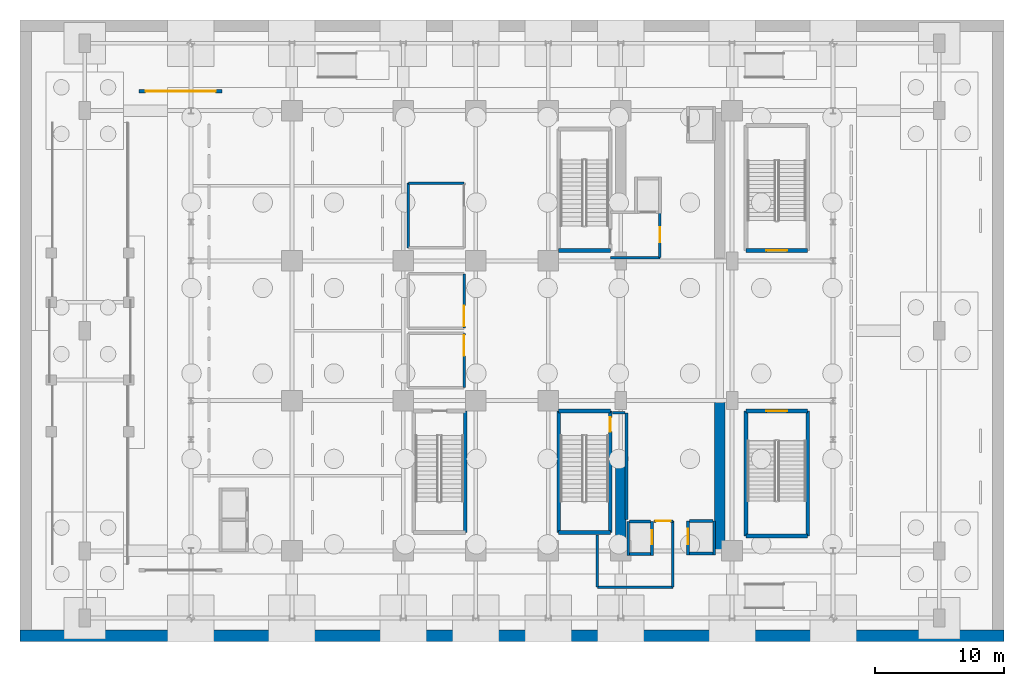
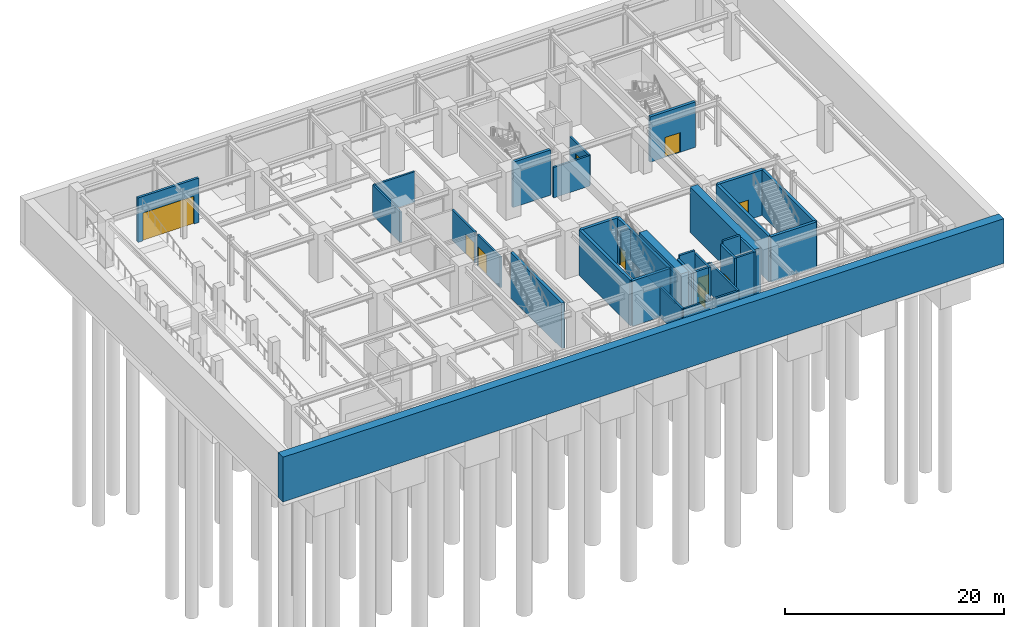
# One storey, part 7 of 14: 35 walls, 10 doors, 10 openings.
"""IFC4 building model written with IfcOpenShell, lengths in metres."""

from ifc_helpers import new_model, si_unit, direction, frame, frame_2d, origin, place, context, subcontext, project, spatial, rectangle, extrude, source, transform, mapped, material, layer, layer_set, type_object, element, fill, save


model = new_model("IFC4")

# Units and contexts
model_context = context("Model", 3, precision=1e-05, world=origin(), true_north=direction((0.0, 1.0)))
body_context = subcontext(model_context, "Body", "Model", "MODEL_VIEW")
ifc_project = project(units=[si_unit("LENGTHUNIT", "METRE"), si_unit("AREAUNIT", "SQUARE_METRE"), si_unit("VOLUMEUNIT", "CUBIC_METRE"), si_unit("PLANEANGLEUNIT", "RADIAN"), si_unit("MASSUNIT", "GRAM", prefix="KILO")], contexts=[model_context])

# Site, building, storey
site_placement = place(None, origin())
site = spatial("IfcSite", under=ifc_project, at=site_placement, CompositionType="ELEMENT")
building_placement = place(site_placement, origin())
building = spatial("IfcBuilding", under=site, at=building_placement, Name="Nahalor Promenade Grand Hotel", CompositionType="ELEMENT")
storey_placement = place(building_placement, frame((0.0, 0.0, -10.800048828125)))
storey = spatial("IfcBuildingStorey", under=building, at=storey_placement, Name="B02", CompositionType="ELEMENT", Elevation=-10.800048828125)

# Walls
ifc_material_1 = material(Name="Concrete B-50 (C40/50)", Category="concrete")
ifc_layer_1 = layer(ifc_material_1, 0.89990234375)
ifc_layer_set_1 = layer_set([ifc_layer_1], Name="Concrete B-50 (C40/50)")
wall_type_1 = type_object("IfcWallType", Name="Wall-Diaphragm-900", PredefinedType="SHEAR", material=ifc_layer_set_1)
shared_shape_1 = source(origin(), body_context, "Body", "SweptSolid", [
    extrude(rectangle(XDim=76.0, YDim=0.89990234375, at=frame_2d((38.0, 0.0))), origin(), (0.0, 0.0, 1.0), 4.97998046875),
])
wall_1_placement = place(storey_placement, frame((-38.0, -23.550048828125, 0.0), z_axis=(0.0, 0.0, 1.0), x_axis=(1.0, 0.0, 0.0)))
element("IfcWall", 1, at=wall_1_placement, inside=storey, type_object=wall_type_1, Name="DW-B02-S", PredefinedType="SHEAR", context=body_context, shape_type="MappedRepresentation", body=[
    mapped(shared_shape_1, transform((0.0, 0.0, 0.0), scale=1.0)),
])
ifc_material_2 = material(Name="Concrete B-70 (C60/75)", Category="concrete")
ifc_layer_2 = layer(ifc_material_2, 0.800048828125)
ifc_layer_set_2 = layer_set([ifc_layer_2], Name="Concrete B-70 (C60/75)")
wall_type_2 = type_object("IfcWallType", Name="Wall-CoreShear-800", PredefinedType="SHEAR", material=ifc_layer_set_2)
shared_shape_2 = source(origin(), body_context, "Body", "SweptSolid", [
    extrude(rectangle(XDim=7.64990234375, YDim=0.800048828125, at=frame_2d((3.824951171875, 0.0))), origin(), (0.0, 0.0, 1.0), 5.050048828125),
])
wall_2_placement = place(storey_placement, frame((8.39990234375, -17.0, 0.0), z_axis=(0.0, 0.0, 1.0), x_axis=(0.0, 1.0, 0.0)))
element("IfcWall", 2, at=wall_2_placement, inside=storey, type_object=wall_type_2, Name="CWALL-B02-SW", PredefinedType="SHEAR", context=body_context, shape_type="MappedRepresentation", body=[
    mapped(shared_shape_2, transform((0.0, 0.0, 0.0), scale=1.0)),
])
shared_shape_3 = source(origin(), body_context, "Body", "SweptSolid", [
    extrude(rectangle(XDim=11.60009765625, YDim=0.800048828125, at=frame_2d((5.800048828125, 0.0))), origin(), (0.0, 0.0, 1.0), 5.050048828125),
])
wall_3_placement = place(storey_placement, frame((16.050048828125, -17.0, 0.0), z_axis=(0.0, 0.0, 1.0), x_axis=(0.0, 1.0, 0.0)))
element("IfcWall", 3, at=wall_3_placement, inside=storey, type_object=wall_type_2, Name="CWALL-B02-SE", PredefinedType="SHEAR", context=body_context, shape_type="MappedRepresentation", body=[
    mapped(shared_shape_3, transform((0.0, 0.0, 0.0), scale=1.0)),
])
ifc_layer_3 = layer(ifc_material_1, 0.300048828125)
ifc_layer_set_3 = layer_set([ifc_layer_3], Name="Concrete B-50 (C40/50)")
wall_type_3 = type_object("IfcWallType", Name="Wall-ShaftShear-300", PredefinedType="SHEAR", material=ifc_layer_set_3)
shared_shape_4 = source(origin(), body_context, "Body", "SweptSolid", [
    extrude(rectangle(XDim=3.97998046875, YDim=0.300048828125, at=frame_2d((1.989990234375, 0.0))), origin(), (0.0, 0.0, 1.0), 5.050048828125),
])
for number, where, z_axis, x_axis, name in (
    (4, (3.610107421875, 6.2099609375, 0.0), (0.0, 0.0, 1.0), (1.0, 0.0, 0.0), "B02 Exit Stair ST1 Shaft Wall S"),
    (5, (3.610107421875, -15.590087890625, 0.0), (0.0, 0.0, 1.0), (1.0, 0.0, 0.0), "B02 Exit Stair ST2 Shaft Wall S"),
    (6, (3.610107421875, -6.2099609375, 0.0), (0.0, 0.0, 1.0), (1.0, 0.0, 0.0), "B02 Exit Stair ST2 Shaft Wall N"),
):
    element("IfcWall", number, at=place(storey_placement, frame(where, z_axis=z_axis, x_axis=x_axis)), inside=storey, type_object=wall_type_3, Name=name, PredefinedType="SHEAR", context=body_context, shape_type="MappedRepresentation", body=[
        mapped(shared_shape_4, transform((0.0, 0.0, 0.0), scale=1.0)),
    ])
shared_shape_5 = source(origin(), body_context, "Body", "SweptSolid", [
    extrude(rectangle(XDim=9.380126953125, YDim=0.300048828125, at=frame_2d((4.68994140625, 0.0))), origin(), (0.0, 0.0, 1.0), 5.050048828125),
])
wall_4_placement = place(storey_placement, frame((3.610107421875, -15.590087890625, 0.0), z_axis=(0.0, 0.0, 1.0), x_axis=(0.0, 1.0, 0.0)))
element("IfcWall", 7, at=wall_4_placement, inside=storey, type_object=wall_type_3, Name="B02 Exit Stair ST2 Shaft Wall W", PredefinedType="SHEAR", context=body_context, shape_type="MappedRepresentation", body=[
    mapped(shared_shape_5, transform((0.0, 0.0, 0.0), scale=1.0)),
])

# Wall, opening, door
wall_5_placement = place(storey_placement, frame((7.590087890625, -15.590087890625, 0.0), z_axis=(0.0, 0.0, 1.0), x_axis=(0.0, 1.0, 0.0)))
wall_5 = element("IfcWall", 8, at=wall_5_placement, inside=storey, type_object=wall_type_3, Name="B02 Exit Stair ST2 Shaft Wall E", PredefinedType="SHEAR", context=body_context, shape_type="MappedRepresentation", body=[
    mapped(shared_shape_5, transform((0.0, 0.0, 0.0), scale=1.0)),
])
opening_1_placement = place(wall_5_placement, frame((7.7900390625, 0.0, 0.0)))
opening_1 = element("IfcOpeningElement", 9, at=opening_1_placement, cuts=wall_5, Name="Opening D-ST1", PredefinedType="OPENING", context=body_context, shape_type="SweptSolid", body=[
    extrude(rectangle(XDim=1.10009765625, YDim=2.14990234375, at=frame_2d((0.550048828125, 1.074951171875))), frame((0.0, 0.159912109375, 0.0), z_axis=(0.0, -1.0, 0.0), x_axis=(1.0, 0.0, 0.0)), (0.0, 0.0, 1.0), 0.320068359375),
])
ifc_material_3 = material(Name="Steel S355JR", Category="steel")
door_type_1 = type_object("IfcDoorType", Name="Door-StairFire-1100", OperationType="NOTDEFINED", PredefinedType="DOOR", material=ifc_material_3)
shared_shape_6 = source(origin(), body_context, "Body", "SweptSolid", [
    extrude(rectangle(XDim=1.10009765625, YDim=2.14990234375, at=frame_2d((0.550048828125, 1.074951171875))), frame((0.0, 0.02490234375, 0.0), z_axis=(0.0, -1.0, 0.0), x_axis=(1.0, 0.0, 0.0)), (0.0, 0.0, 1.0), 0.050048828125),
])
door_1_placement = place(opening_1_placement, origin())
door_1 = element("IfcDoor", 10, at=door_1_placement, inside=storey, type_object=door_type_1, Name="DR-STAIR-ST2-B02", OperationType="SINGLE_SWING_LEFT", OverallHeight=2.14990234375, OverallWidth=1.10009765625, PredefinedType="DOOR", context=body_context, shape_type="MappedRepresentation", body=[
    mapped(shared_shape_6, transform((0.0, 0.0, 0.0), scale=1.0)),
])
fill(opening_1, door_1)

# Wall
wall_6_placement = place(storey_placement, frame((-3.610107421875, -15.590087890625, 0.0), z_axis=(0.0, 0.0, 1.0), x_axis=(0.0, 1.0, 0.0)))
element("IfcWall", 11, at=wall_6_placement, inside=storey, type_object=wall_type_3, Name="B02 Exit Stair ST3 Shaft Wall E", PredefinedType="SHEAR", context=body_context, shape_type="MappedRepresentation", body=[
    mapped(shared_shape_5, transform((0.0, 0.0, 0.0), scale=1.0)),
])

# Wall, opening, door
shared_shape_7 = source(origin(), body_context, "Body", "SweptSolid", [
    extrude(rectangle(XDim=4.780029296875, YDim=0.300048828125, at=frame_2d((2.39013671875, 0.0))), origin(), (0.0, 0.0, 1.0), 5.050048828125),
])
wall_7_placement = place(storey_placement, frame((18.06005859375, 6.2099609375, 0.0), z_axis=(0.0, 0.0, 1.0), x_axis=(1.0, 0.0, 0.0)))
wall_7 = element("IfcWall", 12, at=wall_7_placement, inside=storey, type_object=wall_type_3, Name="B02 Exit Stair ST4 Shaft Wall S", PredefinedType="SHEAR", context=body_context, shape_type="MappedRepresentation", body=[
    mapped(shared_shape_7, transform((0.0, 0.0, 0.0), scale=1.0)),
])
opening_2_placement = place(wall_7_placement, frame((1.590087890625, 0.0, 0.0)))
opening_2 = element("IfcOpeningElement", 13, at=opening_2_placement, cuts=wall_7, Name="Opening D-ST2", PredefinedType="OPENING", context=body_context, shape_type="SweptSolid", body=[
    extrude(rectangle(XDim=1.60009765625, YDim=2.199951171875, at=frame_2d((0.800048828125, 1.10009765625))), frame((0.0, 0.159912109375, 0.0), z_axis=(0.0, -1.0, 0.0), x_axis=(1.0, 0.0, 0.0)), (0.0, 0.0, 1.0), 0.320068359375),
])
door_type_2 = type_object("IfcDoorType", Name="Door-StairGrand-1600", OperationType="DOUBLE_DOOR_SINGLE_SWING", PredefinedType="DOOR", material=ifc_material_3)
shared_shape_8 = source(origin(), body_context, "Body", "SweptSolid", [
    extrude(rectangle(XDim=1.60009765625, YDim=2.199951171875, at=frame_2d((0.800048828125, 1.10009765625))), frame((0.0, 0.02490234375, 0.0), z_axis=(0.0, -1.0, 0.0), x_axis=(1.0, 0.0, 0.0)), (0.0, 0.0, 1.0), 0.050048828125),
])
door_2_placement = place(opening_2_placement, origin())
door_2 = element("IfcDoor", 14, at=door_2_placement, inside=storey, type_object=door_type_2, Name="DR-STAIR-ST4-B02", OperationType="DOUBLE_DOOR_SINGLE_SWING", OverallHeight=2.199951171875, OverallWidth=1.60009765625, PredefinedType="DOOR", context=body_context, shape_type="MappedRepresentation", body=[
    mapped(shared_shape_8, transform((0.0, 0.0, 0.0), scale=1.0)),
])
fill(opening_2, door_2)

# Wall
wall_8_placement = place(storey_placement, frame((18.06005859375, -15.840087890625, 0.0), z_axis=(0.0, 0.0, 1.0), x_axis=(1.0, 0.0, 0.0)))
element("IfcWall", 15, at=wall_8_placement, inside=storey, type_object=wall_type_3, Name="B02 Exit Stair ST5 Shaft Wall S", PredefinedType="SHEAR", context=body_context, shape_type="MappedRepresentation", body=[
    mapped(shared_shape_7, transform((0.0, 0.0, 0.0), scale=1.0)),
])

# Wall, opening, door
wall_9_placement = place(storey_placement, frame((18.06005859375, -6.2099609375, 0.0), z_axis=(0.0, 0.0, 1.0), x_axis=(1.0, 0.0, 0.0)))
wall_9 = element("IfcWall", 16, at=wall_9_placement, inside=storey, type_object=wall_type_3, Name="B02 Exit Stair ST5 Shaft Wall N", PredefinedType="SHEAR", context=body_context, shape_type="MappedRepresentation", body=[
    mapped(shared_shape_7, transform((0.0, 0.0, 0.0), scale=1.0)),
])
opening_3_placement = place(wall_9_placement, frame((1.590087890625, 0.0, 0.0)))
opening_3 = element("IfcOpeningElement", 17, at=opening_3_placement, cuts=wall_9, Name="Opening D-ST2", PredefinedType="OPENING", context=body_context, shape_type="SweptSolid", body=[
    extrude(rectangle(XDim=1.60009765625, YDim=2.199951171875, at=frame_2d((0.800048828125, 1.10009765625))), frame((0.0, 0.159912109375, 0.0), z_axis=(0.0, -1.0, 0.0), x_axis=(1.0, 0.0, 0.0)), (0.0, 0.0, 1.0), 0.320068359375),
])
door_3_placement = place(opening_3_placement, frame((1.60009765625, 0.0, 0.0), z_axis=(0.0, 0.0, 1.0), x_axis=(-1.0, 0.0, 0.0)))
door_3 = element("IfcDoor", 18, at=door_3_placement, inside=storey, type_object=door_type_2, Name="DR-STAIR-ST5-B02", OperationType="DOUBLE_DOOR_SINGLE_SWING", OverallHeight=2.199951171875, OverallWidth=1.60009765625, PredefinedType="DOOR", context=body_context, shape_type="MappedRepresentation", body=[
    mapped(shared_shape_8, transform((0.0, 0.0, 0.0), scale=1.0)),
])
fill(opening_3, door_3)

# Walls
shared_shape_9 = source(origin(), body_context, "Body", "SweptSolid", [
    extrude(rectangle(XDim=9.630126953125, YDim=0.300048828125, at=frame_2d((4.81494140625, 0.0))), origin(), (0.0, 0.0, 1.0), 5.050048828125),
])
for number, where, z_axis, x_axis, name in (
    (19, (18.06005859375, -15.840087890625, 0.0), (0.0, 0.0, 1.0), (0.0, 1.0, 0.0), "B02 Exit Stair ST5 Shaft Wall W"),
    (20, (22.840087890625, -15.840087890625, 0.0), (0.0, 0.0, 1.0), (0.0, 1.0, 0.0), "B02 Exit Stair ST5 Shaft Wall E"),
):
    element("IfcWall", number, at=place(storey_placement, frame(where, z_axis=z_axis, x_axis=x_axis)), inside=storey, type_object=wall_type_3, Name=name, PredefinedType="SHEAR", context=body_context, shape_type="MappedRepresentation", body=[
        mapped(shared_shape_9, transform((0.0, 0.0, 0.0), scale=1.0)),
    ])
ifc_layer_4 = layer(ifc_material_1, 0.219970703125)
ifc_layer_set_4 = layer_set([ifc_layer_4], Name="Concrete B-50 (C40/50)")
wall_type_4 = type_object("IfcWallType", Name="Wall-LiftShaft-220", PredefinedType="SHEAR", material=ifc_layer_set_4)
shared_shape_10 = source(origin(), body_context, "Body", "SweptSolid", [
    extrude(rectangle(XDim=1.820068359375, YDim=0.219970703125, at=frame_2d((0.91015625, 0.0))), origin(), (0.0, 0.0, 1.0), 5.400146484375),
])
wall_10_placement = place(storey_placement, frame((13.68994140625, -14.699951171875, 0.0), z_axis=(0.0, 0.0, 1.0), x_axis=(1.0, 0.0, 0.0)))
element("IfcWall", 21, at=wall_10_placement, inside=storey, type_object=wall_type_4, Name="B02 Lift SV2 Hoistway Wall N", PredefinedType="SHEAR", context=body_context, shape_type="MappedRepresentation", body=[
    mapped(shared_shape_10, transform((0.0, 0.0, 0.0), scale=1.0)),
])
shared_shape_11 = source(origin(), body_context, "Body", "SweptSolid", [
    extrude(rectangle(XDim=2.635009765625, YDim=0.219970703125, at=frame_2d((1.3173828125, 0.0))), origin(), (0.0, 0.0, 1.0), 5.050048828125),
])
wall_11_placement = place(storey_placement, frame((8.97998046875, -17.360107421875, 0.0), z_axis=(0.0, 0.0, 1.0), x_axis=(0.0, 1.0, 0.0)))
element("IfcWall", 22, at=wall_11_placement, inside=storey, type_object=wall_type_4, Name="B02 Lift FL2 Hoistway Wall W", PredefinedType="SHEAR", context=body_context, shape_type="MappedRepresentation", body=[
    mapped(shared_shape_11, transform((0.0, 0.0, 0.0), scale=1.0)),
])

# Wall, opening, door
wall_12_placement = place(storey_placement, frame((10.820068359375, -17.360107421875, 0.0), z_axis=(0.0, 0.0, 1.0), x_axis=(0.0, 1.0, 0.0)))
wall_12 = element("IfcWall", 23, at=wall_12_placement, inside=storey, type_object=wall_type_4, Name="B02 Lift FL2 Hoistway Wall E", PredefinedType="SHEAR", context=body_context, shape_type="MappedRepresentation", body=[
    mapped(shared_shape_11, transform((0.0, 0.0, 0.0), scale=1.0)),
])
opening_4_placement = place(wall_12_placement, frame((0.860107421875, 0.0, 0.0)))
opening_4 = element("IfcOpeningElement", 24, at=opening_4_placement, cuts=wall_12, Name="Opening LD-02", PredefinedType="OPENING", context=body_context, shape_type="SweptSolid", body=[
    extrude(rectangle(XDim=1.10009765625, YDim=2.199951171875, at=frame_2d((0.550048828125, 1.10009765625))), frame((0.0, 0.119873046875, 0.0), z_axis=(0.0, -1.0, 0.0), x_axis=(1.0, 0.0, 0.0)), (0.0, 0.0, 1.0), 0.239990234375),
])
door_type_3 = type_object("IfcDoorType", Name="Door-LiftFF-1100", OperationType="DOUBLE_DOOR_SLIDING", PredefinedType="DOOR", material=ifc_material_3)
shared_shape_12 = source(origin(), body_context, "Body", "SweptSolid", [
    extrude(rectangle(XDim=1.10009765625, YDim=2.199951171875, at=frame_2d((0.550048828125, 1.10009765625))), frame((0.0, 0.02490234375, 0.0), z_axis=(0.0, -1.0, 0.0), x_axis=(1.0, 0.0, 0.0)), (0.0, 0.0, 1.0), 0.050048828125),
])
door_4_placement = place(opening_4_placement, frame((1.10009765625, 0.0, 0.0), z_axis=(0.0, 0.0, 1.0), x_axis=(-1.0, 0.0, 0.0)))
door_4 = element("IfcDoor", 25, at=door_4_placement, inside=storey, type_object=door_type_3, Name="DR-LIFT-FL2-B02", OperationType="DOUBLE_DOOR_SLIDING", OverallHeight=2.199951171875, OverallWidth=1.10009765625, PredefinedType="DOOR", context=body_context, shape_type="MappedRepresentation", body=[
    mapped(shared_shape_12, transform((0.0, 0.0, 0.0), scale=1.0)),
])
fill(opening_4, door_4)

# Walls
shared_shape_13 = source(origin(), body_context, "Body", "SweptSolid", [
    extrude(rectangle(XDim=1.619873046875, YDim=0.219970703125, at=frame_2d((0.81005859375, 0.0))), origin(), (0.0, 0.0, 1.0), 5.050048828125),
])
wall_13_placement = place(storey_placement, frame((9.090087890625, -17.25, 0.0), z_axis=(0.0, 0.0, 1.0), x_axis=(1.0, 0.0, 0.0)))
element("IfcWall", 26, at=wall_13_placement, inside=storey, type_object=wall_type_4, Name="B02 Lift FL2 Hoistway Wall S", PredefinedType="SHEAR", context=body_context, shape_type="MappedRepresentation", body=[
    mapped(shared_shape_13, transform((0.0, 0.0, 0.0), scale=1.0)),
])
shared_shape_14 = source(origin(), body_context, "Body", "SweptSolid", [
    extrude(rectangle(XDim=1.619873046875, YDim=0.219970703125, at=frame_2d((0.81005859375, 0.0))), origin(), (0.0, 0.0, 1.0), 5.400146484375),
])
wall_14_placement = place(storey_placement, frame((9.090087890625, -14.72509765625, 0.0), z_axis=(0.0, 0.0, 1.0), x_axis=(1.0, 0.0, 0.0)))
element("IfcWall", 27, at=wall_14_placement, inside=storey, type_object=wall_type_4, Name="B02 Lift FL2 Hoistway Wall N", PredefinedType="SHEAR", context=body_context, shape_type="MappedRepresentation", body=[
    mapped(shared_shape_14, transform((0.0, 0.0, 0.0), scale=1.0)),
])
shared_shape_15 = source(origin(), body_context, "Body", "SweptSolid", [
    extrude(rectangle(XDim=1.820068359375, YDim=0.219970703125, at=frame_2d((0.91015625, 0.0))), origin(), (0.0, 0.0, 1.0), 5.050048828125),
])
wall_15_placement = place(storey_placement, frame((13.68994140625, -17.199951171875, 0.0), z_axis=(0.0, 0.0, 1.0), x_axis=(1.0, 0.0, 0.0)))
element("IfcWall", 28, at=wall_15_placement, inside=storey, type_object=wall_type_4, Name="B02 Lift SV2 Hoistway Wall S", PredefinedType="SHEAR", context=body_context, shape_type="MappedRepresentation", body=[
    mapped(shared_shape_15, transform((0.0, 0.0, 0.0), scale=1.0)),
])

# Wall, opening, door
shared_shape_16 = source(origin(), body_context, "Body", "SweptSolid", [
    extrude(rectangle(XDim=2.610107421875, YDim=0.219970703125, at=frame_2d((1.30517578125, 0.0))), origin(), (0.0, 0.0, 1.0), 5.050048828125),
])
wall_16_placement = place(storey_placement, frame((13.580078125, -17.31005859375, 0.0), z_axis=(0.0, 0.0, 1.0), x_axis=(0.0, 1.0, 0.0)))
wall_16 = element("IfcWall", 29, at=wall_16_placement, inside=storey, type_object=wall_type_4, Name="B02 Lift SV2 Hoistway Wall W", PredefinedType="SHEAR", context=body_context, shape_type="MappedRepresentation", body=[
    mapped(shared_shape_16, transform((0.0, 0.0, 0.0), scale=1.0)),
])
opening_5_placement = place(wall_16_placement, frame((0.81005859375, 0.0, 0.0)))
opening_5 = element("IfcOpeningElement", 30, at=opening_5_placement, cuts=wall_16, Name="Opening LD-03", PredefinedType="OPENING", context=body_context, shape_type="SweptSolid", body=[
    extrude(rectangle(XDim=1.199951171875, YDim=2.199951171875, at=frame_2d((0.60009765625, 1.10009765625))), frame((0.0, 0.119873046875, 0.0), z_axis=(0.0, -1.0, 0.0), x_axis=(1.0, 0.0, 0.0)), (0.0, 0.0, 1.0), 0.239990234375),
])
door_type_4 = type_object("IfcDoorType", Name="Door-LiftService-1200", OperationType="DOUBLE_DOOR_SLIDING", PredefinedType="DOOR", material=ifc_material_3)
shared_shape_17 = source(origin(), body_context, "Body", "SweptSolid", [
    extrude(rectangle(XDim=1.199951171875, YDim=2.199951171875, at=frame_2d((0.60009765625, 1.10009765625))), frame((0.0, 0.02490234375, 0.0), z_axis=(0.0, -1.0, 0.0), x_axis=(1.0, 0.0, 0.0)), (0.0, 0.0, 1.0), 0.050048828125),
])
door_5_placement = place(opening_5_placement, origin())
door_5 = element("IfcDoor", 31, at=door_5_placement, inside=storey, type_object=door_type_4, Name="DR-LIFT-SV2-B02", OperationType="DOUBLE_DOOR_SLIDING", OverallHeight=2.199951171875, OverallWidth=1.199951171875, PredefinedType="DOOR", context=body_context, shape_type="MappedRepresentation", body=[
    mapped(shared_shape_17, transform((0.0, 0.0, 0.0), scale=1.0)),
])
fill(opening_5, door_5)

# Wall
wall_17_placement = place(storey_placement, frame((15.6201171875, -17.31005859375, 0.0), z_axis=(0.0, 0.0, 1.0), x_axis=(0.0, 1.0, 0.0)))
element("IfcWall", 32, at=wall_17_placement, inside=storey, type_object=wall_type_4, Name="B02 Lift SV2 Hoistway Wall E", PredefinedType="SHEAR", context=body_context, shape_type="MappedRepresentation", body=[
    mapped(shared_shape_16, transform((0.0, 0.0, 0.0), scale=1.0)),
])

# Wall, opening, door
ifc_layer_5 = layer(ifc_material_1, 0.25)
ifc_layer_set_5 = layer_set([ifc_layer_5], Name="Concrete B-50 (C40/50)")
wall_type_5 = type_object("IfcWallType", Name="Wall-RampKerb-250", PredefinedType="PARTITIONING", material=ifc_layer_set_5)
shared_shape_18 = source(origin(), body_context, "Body", "SweptSolid", [
    extrude(rectangle(XDim=6.400146484375, YDim=0.25, at=frame_2d((3.2001953125, 0.0))), origin(), (0.0, 0.0, 1.0), 4.949951171875),
])
wall_18_placement = place(storey_placement, frame((-28.800048828125, 18.5, 0.0), z_axis=(0.0, 0.0, 1.0), x_axis=(1.0, 0.0, 0.0)))
wall_18 = element("IfcWall", 33, at=wall_18_placement, inside=storey, type_object=wall_type_5, Name="B02 Car Park Smoke Compartment Wall 2", PredefinedType="PARTITIONING", context=body_context, shape_type="MappedRepresentation", body=[
    mapped(shared_shape_18, transform((0.0, 0.0, 0.0), scale=1.0)),
])
opening_6_placement = place(wall_18_placement, frame((0.5, 0.0, 0.0)))
opening_6 = element("IfcOpeningElement", 34, at=opening_6_placement, cuts=wall_18, Name="Opening RG-01", PredefinedType="OPENING", context=body_context, shape_type="SweptSolid", body=[
    extrude(rectangle(XDim=5.39990234375, YDim=3.10009765625, at=frame_2d((2.699951171875, 1.550048828125))), frame((0.0, 0.135009765625, 0.0), z_axis=(0.0, -1.0, 0.0), x_axis=(1.0, 0.0, 0.0)), (0.0, 0.0, 1.0), 0.27001953125),
])
door_type_5 = type_object("IfcDoorType", Name="Door-BasementGate-5400", OperationType="ROLLINGUP", PredefinedType="GATE", material=ifc_material_3)
shared_shape_19 = source(origin(), body_context, "Body", "SweptSolid", [
    extrude(rectangle(XDim=5.39990234375, YDim=3.10009765625, at=frame_2d((2.699951171875, 1.550048828125))), frame((0.0, 0.02490234375, 0.0), z_axis=(0.0, -1.0, 0.0), x_axis=(1.0, 0.0, 0.0)), (0.0, 0.0, 1.0), 0.050048828125),
])
door_6_placement = place(opening_6_placement, origin())
door_6 = element("IfcDoor", 35, at=door_6_placement, inside=storey, type_object=door_type_5, Name="DR-BGATE-B02-2", OperationType="ROLLINGUP", OverallHeight=3.10009765625, OverallWidth=5.39990234375, PredefinedType="GATE", context=body_context, shape_type="MappedRepresentation", body=[
    mapped(shared_shape_19, transform((0.0, 0.0, 0.0), scale=1.0)),
])
fill(opening_6, door_6)

# Wall
ifc_material_4 = material(Name="Concrete B-40 (C32/40)", Category="concrete")
ifc_layer_6 = layer(ifc_material_4, 0.199951171875)
ifc_layer_set_6 = layer_set([ifc_layer_6], Name="Concrete B-40 (C32/40)")
wall_type_6 = type_object("IfcWallType", Name="Wall-PartFire-200", PredefinedType="PARTITIONING", material=ifc_layer_set_6)
shared_shape_20 = source(origin(), body_context, "Body", "SweptSolid", [
    extrude(rectangle(XDim=3.81982421875, YDim=0.199951171875, at=frame_2d((1.909912109375, 0.0))), origin(), (0.0, 0.0, 1.0), 3.400146484375),
])
wall_19_placement = place(storey_placement, frame((7.60009765625, 5.64990234375, 0.0), z_axis=(0.0, 0.0, 1.0), x_axis=(1.0, 0.0, 0.0)))
element("IfcWall", 36, at=wall_19_placement, inside=storey, type_object=wall_type_6, Name="W-B02-FF1-S", PredefinedType="PARTITIONING", context=body_context, shape_type="MappedRepresentation", body=[
    mapped(shared_shape_20, transform((0.0, 0.0, 0.0), scale=1.0)),
])

# Wall, opening, door
shared_shape_21 = source(origin(), body_context, "Body", "SweptSolid", [
    extrude(rectangle(XDim=3.5, YDim=0.199951171875, at=frame_2d((1.75, 0.0))), origin(), (0.0, 0.0, 1.0), 3.400146484375),
])
wall_20_placement = place(storey_placement, frame((11.419921875, 5.64990234375, 0.0), z_axis=(0.0, 0.0, 1.0), x_axis=(0.0, 1.0, 0.0)))
wall_20 = element("IfcWall", 37, at=wall_20_placement, inside=storey, type_object=wall_type_6, Name="W-B02-FF1-E", PredefinedType="PARTITIONING", context=body_context, shape_type="MappedRepresentation", body=[
    mapped(shared_shape_21, transform((0.0, 0.0, 0.0), scale=1.0)),
])
opening_7_placement = place(wall_20_placement, frame((1.175048828125, 0.0, 0.0)))
opening_7 = element("IfcOpeningElement", 38, at=opening_7_placement, cuts=wall_20, Name="Opening D-FF1", PredefinedType="OPENING", context=body_context, shape_type="SweptSolid", body=[
    extrude(rectangle(XDim=1.14990234375, YDim=2.14990234375, at=frame_2d((0.574951171875, 1.074951171875))), frame((0.0, 0.10986328125, 0.0), z_axis=(0.0, -1.0, 0.0), x_axis=(1.0, 0.0, 0.0)), (0.0, 0.0, 1.0), 0.219970703125),
])
door_type_6 = type_object("IfcDoorType", Name="Door-FFLobby-1150", OperationType="NOTDEFINED", PredefinedType="DOOR", material=ifc_material_3)
shared_shape_22 = source(origin(), body_context, "Body", "SweptSolid", [
    extrude(rectangle(XDim=1.14990234375, YDim=2.14990234375, at=frame_2d((0.574951171875, 1.074951171875))), frame((0.0, 0.02490234375, 0.0), z_axis=(0.0, -1.0, 0.0), x_axis=(1.0, 0.0, 0.0)), (0.0, 0.0, 1.0), 0.050048828125),
])
door_7_placement = place(opening_7_placement, frame((1.14990234375, 0.0, 0.0), z_axis=(0.0, 0.0, 1.0), x_axis=(-1.0, 0.0, 0.0)))
door_7 = element("IfcDoor", 39, at=door_7_placement, inside=storey, type_object=door_type_6, Name="DR-B02-FFL1", OperationType="SINGLE_SWING_RIGHT", OverallHeight=2.14990234375, OverallWidth=1.14990234375, PredefinedType="DOOR", context=body_context, shape_type="MappedRepresentation", body=[
    mapped(shared_shape_22, transform((0.0, 0.0, 0.0), scale=1.0)),
])
fill(opening_7, door_7)

# Walls
shared_shape_23 = source(origin(), body_context, "Body", "SweptSolid", [
    extrude(rectangle(XDim=5.81982421875, YDim=0.199951171875, at=frame_2d((2.909912109375, 0.0))), origin(), (0.0, 0.0, 1.0), 3.400146484375),
])
wall_21_placement = place(storey_placement, frame((6.60009765625, -19.800048828125, 0.0), z_axis=(0.0, 0.0, 1.0), x_axis=(1.0, 0.0, 0.0)))
element("IfcWall", 40, at=wall_21_placement, inside=storey, type_object=wall_type_6, Name="W-B02-FF2-S1", PredefinedType="PARTITIONING", context=body_context, shape_type="MappedRepresentation", body=[
    mapped(shared_shape_23, transform((0.0, 0.0, 0.0), scale=1.0)),
])
shared_shape_24 = source(origin(), body_context, "Body", "SweptSolid", [
    extrude(rectangle(XDim=4.030029296875, YDim=0.199951171875, at=frame_2d((2.01513671875, 0.0))), origin(), (0.0, 0.0, 1.0), 3.400146484375),
])
wall_22_placement = place(storey_placement, frame((6.60009765625, -19.800048828125, 0.0), z_axis=(0.0, 0.0, 1.0), x_axis=(0.0, 1.0, 0.0)))
element("IfcWall", 41, at=wall_22_placement, inside=storey, type_object=wall_type_6, Name="W-B02-FF2-W1", PredefinedType="PARTITIONING", context=body_context, shape_type="MappedRepresentation", body=[
    mapped(shared_shape_24, transform((0.0, 0.0, 0.0), scale=1.0)),
])
shared_shape_25 = source(origin(), body_context, "Body", "SweptSolid", [
    extrude(rectangle(XDim=5.10009765625, YDim=0.199951171875, at=frame_2d((2.550048828125, 0.0))), origin(), (0.0, 0.0, 1.0), 3.400146484375),
])
wall_23_placement = place(storey_placement, frame((12.419921875, -19.800048828125, 0.0), z_axis=(0.0, 0.0, 1.0), x_axis=(0.0, 1.0, 0.0)))
element("IfcWall", 42, at=wall_23_placement, inside=storey, type_object=wall_type_6, Name="W-B02-FF2-E", PredefinedType="PARTITIONING", context=body_context, shape_type="MappedRepresentation", body=[
    mapped(shared_shape_25, transform((0.0, 0.0, 0.0), scale=1.0)),
])

# Wall, opening, door
shared_shape_26 = source(origin(), body_context, "Body", "SweptSolid", [
    extrude(rectangle(XDim=1.4599609375, YDim=0.199951171875, at=frame_2d((0.72998046875, 0.0))), origin(), (0.0, 0.0, 1.0), 3.400146484375),
])
wall_24_placement = place(storey_placement, frame((10.9599609375, -14.699951171875, 0.0), z_axis=(0.0, 0.0, 1.0), x_axis=(1.0, 0.0, 0.0)))
wall_24 = element("IfcWall", 43, at=wall_24_placement, inside=storey, type_object=wall_type_6, Name="W-B02-FF2-N1", PredefinedType="PARTITIONING", context=body_context, shape_type="MappedRepresentation", body=[
    mapped(shared_shape_26, transform((0.0, 0.0, 0.0), scale=1.0)),
])
opening_8_placement = place(wall_24_placement, frame((0.14501953125, 0.0, 0.0)))
opening_8 = element("IfcOpeningElement", 44, at=opening_8_placement, cuts=wall_24, Name="Opening D-FF1", PredefinedType="OPENING", context=body_context, shape_type="SweptSolid", body=[
    extrude(rectangle(XDim=1.14990234375, YDim=2.14990234375, at=frame_2d((0.574951171875, 1.074951171875))), frame((0.0, 0.10986328125, 0.0), z_axis=(0.0, -1.0, 0.0), x_axis=(1.0, 0.0, 0.0)), (0.0, 0.0, 1.0), 0.219970703125),
])
door_8_placement = place(opening_8_placement, origin())
door_8 = element("IfcDoor", 45, at=door_8_placement, inside=storey, type_object=door_type_6, Name="DR-B02-FFL2", OperationType="SINGLE_SWING_LEFT", OverallHeight=2.14990234375, OverallWidth=1.14990234375, PredefinedType="DOOR", context=body_context, shape_type="MappedRepresentation", body=[
    mapped(shared_shape_22, transform((0.0, 0.0, 0.0), scale=1.0)),
])
fill(opening_8, door_8)

# Walls
shared_shape_27 = source(origin(), body_context, "Body", "SweptSolid", [
    extrude(rectangle(XDim=0.969970703125, YDim=0.199951171875, at=frame_2d((0.48486328125, 0.0))), origin(), (0.0, 0.0, 1.0), 3.400146484375),
])
wall_25_placement = place(storey_placement, frame((7.77001953125, -6.35009765625, 0.0), z_axis=(0.0, 0.0, 1.0), x_axis=(1.0, 0.0, 0.0)))
element("IfcWall", 46, at=wall_25_placement, inside=storey, type_object=wall_type_6, Name="W-B02-FF2-N2", PredefinedType="PARTITIONING", context=body_context, shape_type="MappedRepresentation", body=[
    mapped(shared_shape_27, transform((0.0, 0.0, 0.0), scale=1.0)),
])
shared_shape_28 = source(origin(), body_context, "Body", "SweptSolid", [
    extrude(rectangle(XDim=8.22998046875, YDim=0.199951171875, at=frame_2d((4.114990234375, 0.0))), origin(), (0.0, 0.0, 1.0), 3.400146484375),
])
wall_26_placement = place(storey_placement, frame((8.840087890625, -14.580078125, 0.0), z_axis=(0.0, 0.0, 1.0), x_axis=(0.0, 1.0, 0.0)))
element("IfcWall", 47, at=wall_26_placement, inside=storey, type_object=wall_type_6, Name="W-B02-FF2-M", PredefinedType="PARTITIONING", context=body_context, shape_type="MappedRepresentation", body=[
    mapped(shared_shape_28, transform((0.0, 0.0, 0.0), scale=1.0)),
])
shared_shape_29 = source(origin(), body_context, "Body", "SweptSolid", [
    extrude(rectangle(XDim=4.300048828125, YDim=0.199951171875, at=frame_2d((2.14990234375, 0.0))), origin(), (0.0, 0.0, 1.0), 3.400146484375),
])
wall_27_placement = place(storey_placement, frame((-8.0, 11.39990234375, 0.0), z_axis=(0.0, 0.0, 1.0), x_axis=(1.0, 0.0, 0.0)))
element("IfcWall", 48, at=wall_27_placement, inside=storey, type_object=wall_type_6, Name="W-B02-BPL3-N", PredefinedType="PARTITIONING", context=body_context, shape_type="MappedRepresentation", body=[
    mapped(shared_shape_29, transform((0.0, 0.0, 0.0), scale=1.0)),
])

# Wall, opening, door
shared_shape_30 = source(origin(), body_context, "Body", "SweptSolid", [
    extrude(rectangle(XDim=4.199951171875, YDim=0.199951171875, at=frame_2d((2.10009765625, 0.0))), origin(), (0.0, 0.0, 1.0), 3.400146484375),
])
wall_28_placement = place(storey_placement, frame((-3.699951171875, -4.39990234375, 0.0), z_axis=(0.0, 0.0, 1.0), x_axis=(0.0, 1.0, 0.0)))
wall_28 = element("IfcWall", 49, at=wall_28_placement, inside=storey, type_object=wall_type_6, Name="W-B02-BPL1-E", PredefinedType="PARTITIONING", context=body_context, shape_type="MappedRepresentation", body=[
    mapped(shared_shape_30, transform((0.0, 0.0, 0.0), scale=1.0)),
])
opening_9_placement = place(wall_28_placement, frame((2.4619140625, 0.0, 0.0)))
opening_9 = element("IfcOpeningElement", 50, at=opening_9_placement, cuts=wall_28, Name="Opening D-06", PredefinedType="OPENING", context=body_context, shape_type="SweptSolid", body=[
    extrude(rectangle(XDim=1.60009765625, YDim=2.14990234375, at=frame_2d((0.800048828125, 1.074951171875))), frame((0.0, 0.10986328125, 0.0), z_axis=(0.0, -1.0, 0.0), x_axis=(1.0, 0.0, 0.0)), (0.0, 0.0, 1.0), 0.219970703125),
])
door_type_7 = type_object("IfcDoorType", Name="Door-PlantDouble-1600", OperationType="DOUBLE_DOOR_SINGLE_SWING", PredefinedType="DOOR", material=ifc_material_3)
shared_shape_31 = source(origin(), body_context, "Body", "SweptSolid", [
    extrude(rectangle(XDim=1.60009765625, YDim=2.14990234375, at=frame_2d((0.800048828125, 1.074951171875))), frame((0.0, 0.02490234375, 0.0), z_axis=(0.0, -1.0, 0.0), x_axis=(1.0, 0.0, 0.0)), (0.0, 0.0, 1.0), 0.050048828125),
])
door_9_placement = place(opening_9_placement, origin())
door_9 = element("IfcDoor", 51, at=door_9_placement, inside=storey, type_object=door_type_7, Name="DR-B02-BPL1", OperationType="DOUBLE_DOOR_SINGLE_SWING", OverallHeight=2.14990234375, OverallWidth=1.60009765625, PredefinedType="DOOR", context=body_context, shape_type="MappedRepresentation", body=[
    mapped(shared_shape_31, transform((0.0, 0.0, 0.0), scale=1.0)),
])
fill(opening_9, door_9)

wall_29_placement = place(storey_placement, frame((-3.699951171875, 0.199951171875, 0.0), z_axis=(0.0, 0.0, 1.0), x_axis=(0.0, 1.0, 0.0)))
wall_29 = element("IfcWall", 52, at=wall_29_placement, inside=storey, type_object=wall_type_6, Name="W-B02-BPL2-E", PredefinedType="PARTITIONING", context=body_context, shape_type="MappedRepresentation", body=[
    mapped(shared_shape_30, transform((0.0, 0.0, 0.0), scale=1.0)),
])
opening_10_placement = place(wall_29_placement, frame((0.137939453125, 0.0, 0.0)))
opening_10 = element("IfcOpeningElement", 53, at=opening_10_placement, cuts=wall_29, Name="Opening D-06", PredefinedType="OPENING", context=body_context, shape_type="SweptSolid", body=[
    extrude(rectangle(XDim=1.60009765625, YDim=2.14990234375, at=frame_2d((0.800048828125, 1.074951171875))), frame((0.0, 0.10986328125, 0.0), z_axis=(0.0, -1.0, 0.0), x_axis=(1.0, 0.0, 0.0)), (0.0, 0.0, 1.0), 0.219970703125),
])
door_10_placement = place(opening_10_placement, origin())
door_10 = element("IfcDoor", 54, at=door_10_placement, inside=storey, type_object=door_type_7, Name="DR-B02-BPL2", OperationType="DOUBLE_DOOR_SINGLE_SWING", OverallHeight=2.14990234375, OverallWidth=1.60009765625, PredefinedType="DOOR", context=body_context, shape_type="MappedRepresentation", body=[
    mapped(shared_shape_31, transform((0.0, 0.0, 0.0), scale=1.0)),
])
fill(opening_10, door_10)

# Wall
shared_shape_32 = source(origin(), body_context, "Body", "SweptSolid", [
    extrude(rectangle(XDim=5.0, YDim=0.199951171875, at=frame_2d((2.5, 0.0))), origin(), (0.0, 0.0, 1.0), 3.400146484375),
])
wall_30_placement = place(storey_placement, frame((-8.0, 6.39990234375, 0.0), z_axis=(0.0, 0.0, 1.0), x_axis=(0.0, 1.0, 0.0)))
element("IfcWall", 55, at=wall_30_placement, inside=storey, type_object=wall_type_6, Name="W-B02-BPL3-W", PredefinedType="PARTITIONING", context=body_context, shape_type="MappedRepresentation", body=[
    mapped(shared_shape_32, transform((0.0, 0.0, 0.0), scale=1.0)),
])

save(model, "model.ifc")
